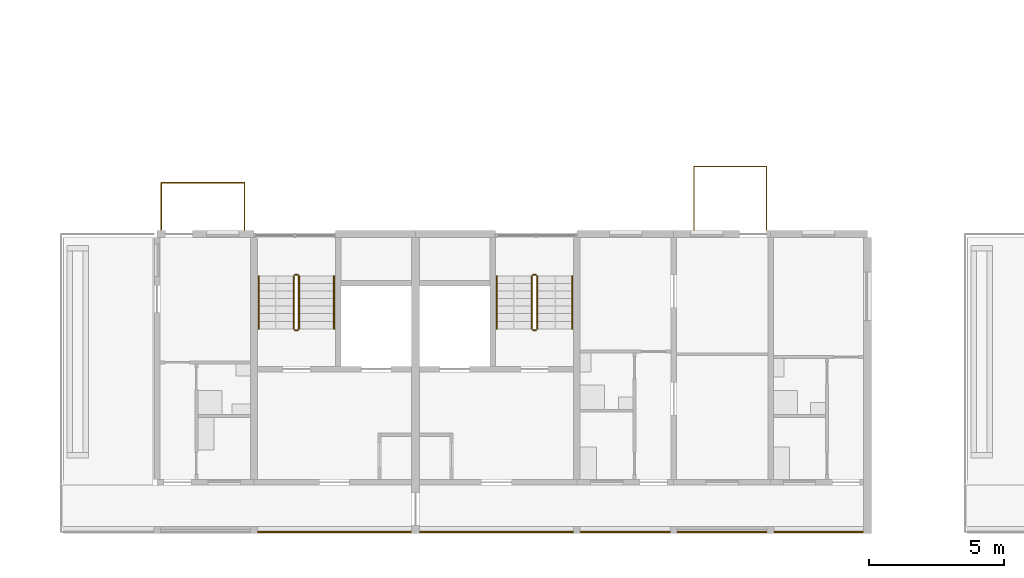
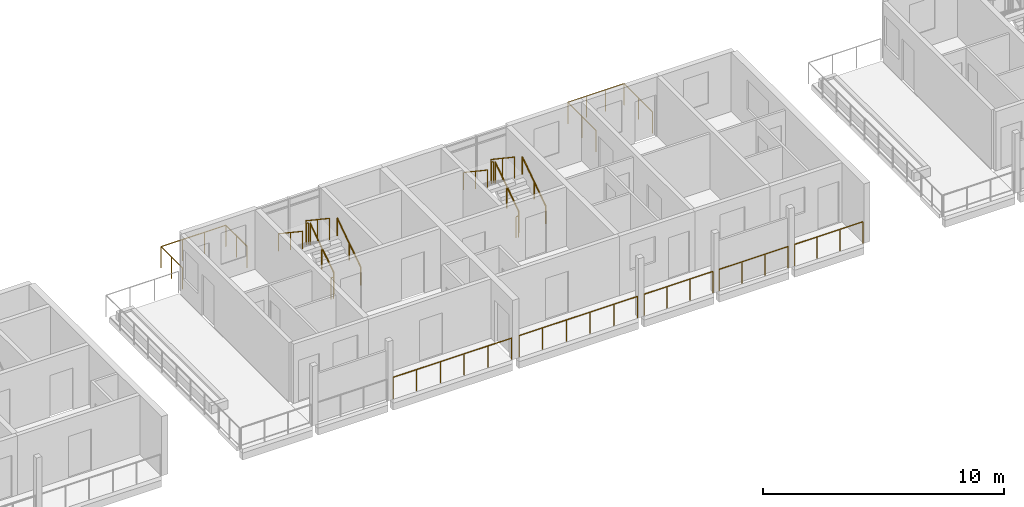
# One storey, part 49 of 64: 19 railings.
"""IFC4 building model written with IfcOpenShell, lengths in metres."""

import ifcopenshell
import ifcopenshell.guid

model = None  # the IFC model being written
_history = None  # IfcOwnerHistory: only IFC2X3 demands one
_inside = {}  # id of a spatial element -> (the spatial element, [elements in it])
_under = {}  # id of a project, library or spatial element -> (it, [spatial elements below it])
_declared = {}  # id of a project -> (the project, [libraries it declares])
_typed = {}  # id of a type object -> (the type object, [elements of that type])
_made_of = {}  # id of a material, layer set ... -> (it, [elements and type objects made of it])


def new_model(schema):
    """Start an empty IFC model of exactly this schema.

    Asked for "IFC4X3", IfcOpenShell would pick the latest addendum, in which some entities
    have other attributes; the version numbers below select the first issue.
    IFC2X3 requires an IfcOwnerHistory on every rooted entity: one is made here for all.
    """
    global model, _history
    if schema == "IFC4X3":
        model = ifcopenshell.file(schema_version=(4, 3, 0, 0))
    else:
        model = ifcopenshell.file(schema=schema)
    _inside.clear()
    _under.clear()
    _declared.clear()
    _typed.clear()
    _made_of.clear()
    _history = None
    if model.schema == "IFC2X3":
        org = make("IfcOrganization", Name="unknown")
        user = make(
            "IfcPersonAndOrganization",
            ThePerson=make("IfcPerson", FamilyName="unknown"),
            TheOrganization=org,
        )
        app = make(
            "IfcApplication",
            ApplicationDeveloper=org,
            Version="unknown",
            ApplicationFullName="unknown",
            ApplicationIdentifier="unknown",
        )
        _history = make(
            "IfcOwnerHistory",
            OwningUser=user,
            OwningApplication=app,
            ChangeAction="ADDED",
            CreationDate=0,
        )
    return model


def make(cls, **values):
    """One entity of the class cls with the attributes given. An attribute that is None is left unset."""
    return model.create_entity(
        cls, **{name: value for name, value in values.items() if value is not None}
    )


def rooted(cls, **values):
    """An entity with a GlobalId (a new one), such as an element, a storey or a relation."""
    return make(cls, GlobalId=ifcopenshell.guid.new(), OwnerHistory=_history, **values)


def si_unit(unit_type, name, prefix=None):
    """IfcSIUnit, for example si_unit("LENGTHUNIT", "METRE", prefix="MILLI")."""
    return make("IfcSIUnit", UnitType=unit_type, Prefix=prefix, Name=name)


def assignment(units):
    """IfcUnitAssignment: the units of a project."""
    return None if units is None else make("IfcUnitAssignment", Units=units)


def point(xyz):
    """IfcCartesianPoint."""
    return None if xyz is None else make("IfcCartesianPoint", Coordinates=xyz)


def direction(xyz):
    """IfcDirection."""
    return None if xyz is None else make("IfcDirection", DirectionRatios=xyz)


def frame(location, z_axis=None, x_axis=None):
    """IfcAxis2Placement3D, a coordinate frame: its origin and axes. An axis left out is left unset."""
    return make(
        "IfcAxis2Placement3D",
        Location=point(location),
        Axis=direction(z_axis),
        RefDirection=direction(x_axis),
    )


def frame_2d(location, x_axis=None):
    """IfcAxis2Placement2D, a coordinate frame in the plane: its origin and x axis."""
    return make(
        "IfcAxis2Placement2D", Location=point(location), RefDirection=direction(x_axis)
    )


def origin():
    """The frame at (0, 0, 0) with its axes left unset."""
    return frame((0.0, 0.0, 0.0))


def origin_2d():
    """The frame at (0, 0) in the plane with its x axis left unset."""
    return frame_2d((0.0, 0.0))


def place(relative_to, where):
    """IfcLocalPlacement: puts the frame where relative to a parent placement (None: the world)."""
    return make(
        "IfcLocalPlacement", PlacementRelTo=relative_to, RelativePlacement=where
    )


def context(
    kind, dimensions, precision=None, world=None, true_north=None, identifier=None
):
    """IfcGeometricRepresentationContext, for example the 3D "Model" context."""
    return make(
        "IfcGeometricRepresentationContext",
        ContextIdentifier=identifier,
        ContextType=kind,
        CoordinateSpaceDimension=dimensions,
        Precision=precision,
        WorldCoordinateSystem=world,
        TrueNorth=true_north,
    )


def subcontext(parent, identifier, kind, view, scale=None):
    """IfcGeometricRepresentationSubContext, for example "Body" below "Model"."""
    return make(
        "IfcGeometricRepresentationSubContext",
        ContextIdentifier=identifier,
        ContextType=kind,
        ParentContext=parent,
        TargetScale=scale,
        TargetView=view,
    )


def project(units=None, contexts=None):
    """IfcProject with its units and contexts."""
    return rooted(
        "IfcProject",
        Name="project",
        RepresentationContexts=contexts,
        UnitsInContext=assignment(units),
    )


def spatial(cls, under=None, at=None, **own):
    """A site, building, storey or space (cls), placed at a placement, below another one or the project."""
    s = rooted(cls, ObjectPlacement=at, **own)
    if under is not None:
        _under.setdefault(under.id(), (under, []))[1].append(s)
    return s


def profile(cls, at=None, kind="AREA", **sizes):
    """A parametric profile (cls). Its sizes go by their IFC names, for example OverallWidth=200.0."""
    return make(cls, ProfileType=kind, Position=at, **sizes)


def circle(**sizes):
    """IfcCircleProfileDef."""
    return profile("IfcCircleProfileDef", **sizes)


def extrude(swept, where, along, depth):
    """IfcExtrudedAreaSolid: the profile swept, set in the frame where, extruded along a direction by depth."""
    return make(
        "IfcExtrudedAreaSolid",
        SweptArea=swept,
        Position=where,
        ExtrudedDirection=direction(along),
        Depth=depth,
    )


def shape(context_of_items, identifier, shape_type, items):
    """IfcShapeRepresentation: the items that make up one representation, for example the "Body"."""
    return make(
        "IfcShapeRepresentation",
        ContextOfItems=context_of_items,
        RepresentationIdentifier=identifier,
        RepresentationType=shape_type,
        Items=items,
    )


def material(Name=None, Category=None):
    """IfcMaterial."""
    return make("IfcMaterial", Name=Name, Category=Category)


def made_of(thing, what):
    """Note that an element or type object is made of a material, layer set ...; save() writes the relation."""
    if what is not None:
        _made_of.setdefault(what.id(), (what, []))[1].append(thing)
    return thing


def type_object(cls, material=None, **own):
    """A type object (cls), such as IfcWallType, which elements share."""
    return made_of(rooted(cls, **own), material)


def element(
    cls,
    number,
    at=None,
    inside=None,
    cuts=None,
    type_object=None,
    material=None,
    context=None,
    identifier="Body",
    shape_type=None,
    held_by="IfcProductDefinitionShape",
    body=None,
    shapes=None,
    **own,
):
    """One element of the class cls, such as IfcWall. Its Tag is "e" and its number.

    at: its placement. inside: the storey or other place that contains it. cuts: it is an
    opening in that element (IfcRelVoidsElement). A single representation is given by context,
    identifier, shape_type and body (its items); several are given by shapes. held_by: the class
    of the entity that holds the representations. save() writes the other relations.
    """
    e = rooted(cls, Tag="e%d" % number, ObjectPlacement=at, **own)
    if body is not None:
        shapes = [shape(context, identifier, shape_type, body)]
    if shapes is not None:
        e.Representation = make(held_by, Representations=shapes)
    if inside is not None:
        _inside.setdefault(inside.id(), (inside, []))[1].append(e)
    if cuts is not None:
        rooted(
            "IfcRelVoidsElement", RelatingBuildingElement=cuts, RelatedOpeningElement=e
        )
    if type_object is not None:
        _typed.setdefault(type_object.id(), (type_object, []))[1].append(e)
    return made_of(e, material)


def aggregate(whole, parts):
    """IfcRelAggregates: a whole, such as a stair, and the parts it consists of."""
    return rooted("IfcRelAggregates", RelatingObject=whole, RelatedObjects=parts)


def save(model, path):
    """Write the relations noted so far, then the file.

    IfcRelAggregates (storeys below a building ...), IfcRelContainedInSpatialStructure (elements
    in a storey), IfcRelDefinesByType, IfcRelAssociatesMaterial and IfcRelDeclares: one each for
    every whole, place, type object, material and project.
    """
    for whole, parts in _under.values():
        aggregate(whole, parts)
    for where, things in _inside.values():
        rooted(
            "IfcRelContainedInSpatialStructure",
            RelatedElements=things,
            RelatingStructure=where,
        )
    for kind, things in _typed.values():
        rooted("IfcRelDefinesByType", RelatedObjects=things, RelatingType=kind)
    for what, things in _made_of.values():
        rooted("IfcRelAssociatesMaterial", RelatedObjects=things, RelatingMaterial=what)
    for by, libraries in _declared.values():
        rooted("IfcRelDeclares", RelatingContext=by, RelatedDefinitions=libraries)
    model.write(path)


model = new_model("IFC4")

# Units and contexts
model_context = context("Model", 3, precision=1e-05, world=origin(), true_north=direction((0.0, 1.0)))
body_context = subcontext(model_context, "Body", "Model", "MODEL_VIEW")
ifc_project = project(units=[si_unit("LENGTHUNIT", "METRE"), si_unit("AREAUNIT", "SQUARE_METRE"), si_unit("VOLUMEUNIT", "CUBIC_METRE"), si_unit("PLANEANGLEUNIT", "RADIAN"), si_unit("MASSUNIT", "GRAM", prefix="KILO")], contexts=[model_context])

# Site, building, storey
site_placement = place(None, origin())
site = spatial("IfcSite", under=ifc_project, at=site_placement, CompositionType="ELEMENT")
building_placement = place(site_placement, origin())
building = spatial("IfcBuilding", under=site, at=building_placement, Name="Ridgestep Commons", CompositionType="ELEMENT")
storey_placement = place(building_placement, frame((0.0, 0.0, 33.0)))
storey = spatial("IfcBuildingStorey", under=building, at=storey_placement, Name="L11", CompositionType="ELEMENT", Elevation=33.0)

# Railings
ifc_material_1 = material(Name="Structural steel S355JR", Category="steel")
railing_type_1 = type_object("IfcRailingType", Name="Guard 1100", PredefinedType="GUARDRAIL", material=ifc_material_1)
railing_1_placement = place(storey_placement, frame((39.74609375, 11.800048828125, 0.0)))
element("IfcRailing", 1, at=railing_1_placement, inside=storey, type_object=railing_type_1, Name="Gallery guard A 11.3", PredefinedType="GUARDRAIL", context=body_context, shape_type="SweptSolid", body=[
    extrude(circle(Radius=0.02392578125, at=origin_2d()), frame((0.0, 0.0, 1.076171875), z_axis=(1.0, 0.0, 0.0), x_axis=(0.0, 1.0, 0.0)), (0.0, 0.0, 1.0), 5.682861328125),
    extrude(circle(Radius=0.02099609375, at=origin_2d()), origin(), (0.0, 0.0, 1.0), 1.052001953125),
    extrude(circle(Radius=0.02099609375, at=origin_2d()), frame((1.136474609375, 0.0, 0.0)), (0.0, 0.0, 1.0), 1.052001953125),
    extrude(circle(Radius=0.02099609375, at=origin_2d()), frame((2.273193359375, 0.0, 0.0)), (0.0, 0.0, 1.0), 1.052001953125),
    extrude(circle(Radius=0.02099609375, at=origin_2d()), frame((3.40966796875, 0.0, 0.0)), (0.0, 0.0, 1.0), 1.052001953125),
    extrude(circle(Radius=0.02099609375, at=origin_2d()), frame((4.54638671875, 0.0, 0.0)), (0.0, 0.0, 1.0), 1.052001953125),
    extrude(circle(Radius=0.02099609375, at=origin_2d()), frame((5.682861328125, 0.0, 0.0)), (0.0, 0.0, 1.0), 1.052001953125),
])
railing_2_placement = place(storey_placement, frame((45.77099609375, 11.800048828125, 0.0)))
element("IfcRailing", 2, at=railing_2_placement, inside=storey, type_object=railing_type_1, Name="Gallery guard A 11.4", PredefinedType="GUARDRAIL", context=body_context, shape_type="SweptSolid", body=[
    extrude(circle(Radius=0.02392578125, at=origin_2d()), frame((0.0, 0.0, 1.076171875), z_axis=(1.0, 0.0, 0.0), x_axis=(0.0, 1.0, 0.0)), (0.0, 0.0, 1.0), 5.68310546875),
    extrude(circle(Radius=0.02099609375, at=origin_2d()), origin(), (0.0, 0.0, 1.0), 1.052001953125),
    extrude(circle(Radius=0.02099609375, at=origin_2d()), frame((1.13671875, 0.0, 0.0)), (0.0, 0.0, 1.0), 1.052001953125),
    extrude(circle(Radius=0.02099609375, at=origin_2d()), frame((2.273193359375, 0.0, 0.0)), (0.0, 0.0, 1.0), 1.052001953125),
    extrude(circle(Radius=0.02099609375, at=origin_2d()), frame((3.409912109375, 0.0, 0.0)), (0.0, 0.0, 1.0), 1.052001953125),
    extrude(circle(Radius=0.02099609375, at=origin_2d()), frame((4.54638671875, 0.0, 0.0)), (0.0, 0.0, 1.0), 1.052001953125),
    extrude(circle(Radius=0.02099609375, at=origin_2d()), frame((5.68310546875, 0.0, 0.0)), (0.0, 0.0, 1.0), 1.052001953125),
])
railing_3_placement = place(storey_placement, frame((51.74609375, 11.800048828125, 0.0)))
element("IfcRailing", 3, at=railing_3_placement, inside=storey, type_object=railing_type_1, Name="Gallery guard A 11.5", PredefinedType="GUARDRAIL", context=body_context, shape_type="SweptSolid", body=[
    extrude(circle(Radius=0.02392578125, at=origin_2d()), frame((0.0, 0.0, 1.076171875), z_axis=(1.0, 0.0, 0.0), x_axis=(0.0, 1.0, 0.0)), (0.0, 0.0, 1.0), 3.307861328125),
    extrude(circle(Radius=0.02099609375, at=origin_2d()), origin(), (0.0, 0.0, 1.0), 1.052001953125),
    extrude(circle(Radius=0.02099609375, at=origin_2d()), frame((1.1025390625, 0.0, 0.0)), (0.0, 0.0, 1.0), 1.052001953125),
    extrude(circle(Radius=0.02099609375, at=origin_2d()), frame((2.205322265625, 0.0, 0.0)), (0.0, 0.0, 1.0), 1.052001953125),
    extrude(circle(Radius=0.02099609375, at=origin_2d()), frame((3.307861328125, 0.0, 0.0)), (0.0, 0.0, 1.0), 1.052001953125),
])
railing_4_placement = place(storey_placement, frame((55.345947265625, 11.800048828125, 0.0)))
element("IfcRailing", 4, at=railing_4_placement, inside=storey, type_object=railing_type_1, Name="Gallery guard A 11.6", PredefinedType="GUARDRAIL", context=body_context, shape_type="SweptSolid", body=[
    extrude(circle(Radius=0.02392578125, at=origin_2d()), frame((0.0, 0.0, 1.076171875), z_axis=(1.0, 0.0, 0.0), x_axis=(0.0, 1.0, 0.0)), (0.0, 0.0, 1.0), 3.30810546875),
    extrude(circle(Radius=0.02099609375, at=origin_2d()), origin(), (0.0, 0.0, 1.0), 1.052001953125),
    extrude(circle(Radius=0.02099609375, at=origin_2d()), frame((1.102783203125, 0.0, 0.0)), (0.0, 0.0, 1.0), 1.052001953125),
    extrude(circle(Radius=0.02099609375, at=origin_2d()), frame((2.205322265625, 0.0, 0.0)), (0.0, 0.0, 1.0), 1.052001953125),
    extrude(circle(Radius=0.02099609375, at=origin_2d()), frame((3.30810546875, 0.0, 0.0)), (0.0, 0.0, 1.0), 1.052001953125),
])
railing_5_placement = place(storey_placement, frame((58.946044921875, 11.800048828125, 0.0)))
element("IfcRailing", 5, at=railing_5_placement, inside=storey, type_object=railing_type_1, Name="Gallery guard A 11.7", PredefinedType="GUARDRAIL", context=body_context, shape_type="SweptSolid", body=[
    extrude(circle(Radius=0.02392578125, at=origin_2d()), frame((0.0, 0.0, 1.076171875), z_axis=(1.0, 0.0, 0.0), x_axis=(0.0, 1.0, 0.0)), (0.0, 0.0, 1.0), 3.282958984375),
    extrude(circle(Radius=0.02099609375, at=origin_2d()), origin(), (0.0, 0.0, 1.0), 1.052001953125),
    extrude(circle(Radius=0.02099609375, at=origin_2d()), frame((1.09423828125, 0.0, 0.0)), (0.0, 0.0, 1.0), 1.052001953125),
    extrude(circle(Radius=0.02099609375, at=origin_2d()), frame((2.188720703125, 0.0, 0.0)), (0.0, 0.0, 1.0), 1.052001953125),
    extrude(circle(Radius=0.02099609375, at=origin_2d()), frame((3.282958984375, 0.0, 0.0)), (0.0, 0.0, 1.0), 1.052001953125),
])
ifc_material_2 = material(Name="Structural steel S355JR", Category="steel")
railing_type_2 = type_object("IfcRailingType", Name="Stair guard 1100", PredefinedType="GUARDRAIL", material=ifc_material_2)
railing_6_placement = place(storey_placement, frame((41.27490234375, 19.35009765625, 0.1875)))
element("IfcRailing", 6, at=railing_6_placement, inside=storey, type_object=railing_type_2, Name="L11 A2C stair guard 1", PredefinedType="GUARDRAIL", context=body_context, shape_type="SweptSolid", body=[
    extrude(circle(Radius=0.02392578125, at=origin_2d()), frame((0.0, 0.0, 1.076171875), z_axis=(0.0, 0.830902050051, 0.556418712142), x_axis=(-1.0, 0.0, 0.0)), (0.0, 0.0, 1.0), 2.35888671875),
    extrude(circle(Radius=0.02099609375, at=origin_2d()), origin(), (0.0, 0.0, 1.0), 1.052001953125),
    extrude(circle(Radius=0.02099609375, at=origin_2d()), frame((0.0, 0.97998046875, 0.65625)), (0.0, 0.0, 1.0), 1.052001953125),
    extrude(circle(Radius=0.02099609375, at=origin_2d()), frame((0.0, 1.9599609375, 1.3125)), (0.0, 0.0, 1.0), 1.052001953125),
])
railing_7_placement = place(storey_placement, frame((41.22509765625, 21.360107421875, 1.5)))
element("IfcRailing", 7, at=railing_7_placement, inside=storey, type_object=railing_type_2, Name="L11 A2C stair guard 2", PredefinedType="GUARDRAIL", context=body_context, shape_type="SweptSolid", body=[
    extrude(circle(Radius=0.02392578125, at=origin_2d()), frame((0.0, 0.0, 1.076171875), z_axis=(-1.0, 0.0, 0.0), x_axis=(0.0, -1.0, 0.0)), (0.0, 0.0, 1.0), 0.10009765625),
    extrude(circle(Radius=0.02099609375, at=origin_2d()), origin(), (0.0, 0.0, 1.0), 1.052001953125),
    extrude(circle(Radius=0.02099609375, at=origin_2d()), frame((-0.10009765625, 0.0, 0.0)), (0.0, 0.0, 1.0), 1.052001953125),
])
railing_8_placement = place(storey_placement, frame((41.074951171875, 21.31005859375, 1.6875)))
element("IfcRailing", 8, at=railing_8_placement, inside=storey, type_object=railing_type_2, Name="L11 A2C stair guard 3", PredefinedType="GUARDRAIL", context=body_context, shape_type="SweptSolid", body=[
    extrude(circle(Radius=0.02392578125, at=origin_2d()), frame((0.0, 0.0, 1.076171875), z_axis=(0.0, -0.830902050051, 0.556418712142), x_axis=(1.0, 0.0, 0.0)), (0.0, 0.0, 1.0), 2.35888671875),
    extrude(circle(Radius=0.02099609375, at=origin_2d()), origin(), (0.0, 0.0, 1.0), 1.052001953125),
    extrude(circle(Radius=0.02099609375, at=origin_2d()), frame((0.0, -0.97998046875, 0.65625)), (0.0, 0.0, 1.0), 1.052001953125),
    extrude(circle(Radius=0.02099609375, at=origin_2d()), frame((0.0, -1.9599609375, 1.3125)), (0.0, 0.0, 1.0), 1.052001953125),
])
railing_9_placement = place(storey_placement, frame((41.22509765625, 19.300048828125, 0.0)))
element("IfcRailing", 9, at=railing_9_placement, inside=storey, type_object=railing_type_2, Name="L11 A2C stair guard 4", PredefinedType="GUARDRAIL", context=body_context, shape_type="SweptSolid", body=[
    extrude(circle(Radius=0.02392578125, at=origin_2d()), frame((0.0, 0.0, 1.076171875), z_axis=(-1.0, 0.0, 0.0), x_axis=(0.0, -1.0, 0.0)), (0.0, 0.0, 1.0), 0.10009765625),
    extrude(circle(Radius=0.02099609375, at=origin_2d()), origin(), (0.0, 0.0, 1.0), 1.052001953125),
    extrude(circle(Radius=0.02099609375, at=origin_2d()), frame((-0.10009765625, 0.0, 0.0)), (0.0, 0.0, 1.0), 1.052001953125),
])
railing_10_placement = place(storey_placement, frame((50.125, 19.35009765625, 0.1875)))
element("IfcRailing", 10, at=railing_10_placement, inside=storey, type_object=railing_type_2, Name="L11 A3C stair guard 1", PredefinedType="GUARDRAIL", context=body_context, shape_type="SweptSolid", body=[
    extrude(circle(Radius=0.02392578125, at=origin_2d()), frame((0.0, 0.0, 1.076171875), z_axis=(0.0, 0.830902050051, 0.556418712142), x_axis=(-1.0, 0.0, 0.0)), (0.0, 0.0, 1.0), 2.35888671875),
    extrude(circle(Radius=0.02099609375, at=origin_2d()), origin(), (0.0, 0.0, 1.0), 1.052001953125),
    extrude(circle(Radius=0.02099609375, at=origin_2d()), frame((0.0, 0.97998046875, 0.65625)), (0.0, 0.0, 1.0), 1.052001953125),
    extrude(circle(Radius=0.02099609375, at=origin_2d()), frame((0.0, 1.9599609375, 1.3125)), (0.0, 0.0, 1.0), 1.052001953125),
])
railing_11_placement = place(storey_placement, frame((50.074951171875, 21.360107421875, 1.5)))
element("IfcRailing", 11, at=railing_11_placement, inside=storey, type_object=railing_type_2, Name="L11 A3C stair guard 2", PredefinedType="GUARDRAIL", context=body_context, shape_type="SweptSolid", body=[
    extrude(circle(Radius=0.02392578125, at=origin_2d()), frame((0.0, 0.0, 1.076171875), z_axis=(-1.0, 0.0, 0.0), x_axis=(0.0, -1.0, 0.0)), (0.0, 0.0, 1.0), 0.099853515625),
    extrude(circle(Radius=0.02099609375, at=origin_2d()), origin(), (0.0, 0.0, 1.0), 1.052001953125),
    extrude(circle(Radius=0.02099609375, at=origin_2d()), frame((-0.099853515625, 0.0, 0.0)), (0.0, 0.0, 1.0), 1.052001953125),
])
railing_12_placement = place(storey_placement, frame((49.925048828125, 21.31005859375, 1.6875)))
element("IfcRailing", 12, at=railing_12_placement, inside=storey, type_object=railing_type_2, Name="L11 A3C stair guard 3", PredefinedType="GUARDRAIL", context=body_context, shape_type="SweptSolid", body=[
    extrude(circle(Radius=0.02392578125, at=origin_2d()), frame((0.0, 0.0, 1.076171875), z_axis=(0.0, -0.830902050051, 0.556418712142), x_axis=(1.0, 0.0, 0.0)), (0.0, 0.0, 1.0), 2.35888671875),
    extrude(circle(Radius=0.02099609375, at=origin_2d()), origin(), (0.0, 0.0, 1.0), 1.052001953125),
    extrude(circle(Radius=0.02099609375, at=origin_2d()), frame((0.0, -0.97998046875, 0.65625)), (0.0, 0.0, 1.0), 1.052001953125),
    extrude(circle(Radius=0.02099609375, at=origin_2d()), frame((0.0, -1.9599609375, 1.3125)), (0.0, 0.0, 1.0), 1.052001953125),
])
railing_13_placement = place(storey_placement, frame((50.074951171875, 19.300048828125, 0.0)))
element("IfcRailing", 13, at=railing_13_placement, inside=storey, type_object=railing_type_2, Name="L11 A3C stair guard 4", PredefinedType="GUARDRAIL", context=body_context, shape_type="SweptSolid", body=[
    extrude(circle(Radius=0.02392578125, at=origin_2d()), frame((0.0, 0.0, 1.076171875), z_axis=(-1.0, 0.0, 0.0), x_axis=(0.0, -1.0, 0.0)), (0.0, 0.0, 1.0), 0.099853515625),
    extrude(circle(Radius=0.02099609375, at=origin_2d()), origin(), (0.0, 0.0, 1.0), 1.052001953125),
    extrude(circle(Radius=0.02099609375, at=origin_2d()), frame((-0.099853515625, 0.0, 0.0)), (0.0, 0.0, 1.0), 1.052001953125),
])
ifc_material_3 = material(Name="Structural steel S355JR", Category="steel")
railing_type_3 = type_object("IfcRailingType", Name="Stair handrail 900", PredefinedType="HANDRAIL", material=ifc_material_3)
railing_14_placement = place(storey_placement, frame((42.574951171875, 19.35009765625, 0.1875)))
element("IfcRailing", 14, at=railing_14_placement, inside=storey, type_object=railing_type_3, Name="L11 A2C stair handrail 1", PredefinedType="HANDRAIL", context=body_context, shape_type="SweptSolid", body=[
    extrude(circle(Radius=0.02392578125, at=origin_2d()), frame((0.0, 0.0, 0.8759765625), z_axis=(0.0, 0.830902050051, 0.556418712142), x_axis=(-1.0, 0.0, 0.0)), (0.0, 0.0, 1.0), 2.35888671875),
    extrude(circle(Radius=0.02099609375, at=origin_2d()), origin(), (0.0, 0.0, 1.0), 0.851806640625),
    extrude(circle(Radius=0.02099609375, at=origin_2d()), frame((0.0, 0.97998046875, 0.65625)), (0.0, 0.0, 1.0), 0.851806640625),
    extrude(circle(Radius=0.02099609375, at=origin_2d()), frame((0.0, 1.9599609375, 1.3125)), (0.0, 0.0, 1.0), 0.851806640625),
])
railing_15_placement = place(storey_placement, frame((39.77490234375, 21.31005859375, 1.6875)))
element("IfcRailing", 15, at=railing_15_placement, inside=storey, type_object=railing_type_3, Name="L11 A2C stair handrail 2", PredefinedType="HANDRAIL", context=body_context, shape_type="SweptSolid", body=[
    extrude(circle(Radius=0.02392578125, at=origin_2d()), frame((0.0, 0.0, 0.8759765625), z_axis=(0.0, -0.830902050051, 0.556418712142), x_axis=(1.0, 0.0, 0.0)), (0.0, 0.0, 1.0), 2.35888671875),
    extrude(circle(Radius=0.02099609375, at=origin_2d()), origin(), (0.0, 0.0, 1.0), 0.851806640625),
    extrude(circle(Radius=0.02099609375, at=origin_2d()), frame((0.0, -0.97998046875, 0.65625)), (0.0, 0.0, 1.0), 0.851806640625),
    extrude(circle(Radius=0.02099609375, at=origin_2d()), frame((0.0, -1.9599609375, 1.3125)), (0.0, 0.0, 1.0), 0.851806640625),
])
railing_16_placement = place(storey_placement, frame((51.425048828125, 19.35009765625, 0.1875)))
element("IfcRailing", 16, at=railing_16_placement, inside=storey, type_object=railing_type_3, Name="L11 A3C stair handrail 1", PredefinedType="HANDRAIL", context=body_context, shape_type="SweptSolid", body=[
    extrude(circle(Radius=0.02392578125, at=origin_2d()), frame((0.0, 0.0, 0.8759765625), z_axis=(0.0, 0.830902050051, 0.556418712142), x_axis=(-1.0, 0.0, 0.0)), (0.0, 0.0, 1.0), 2.35888671875),
    extrude(circle(Radius=0.02099609375, at=origin_2d()), origin(), (0.0, 0.0, 1.0), 0.851806640625),
    extrude(circle(Radius=0.02099609375, at=origin_2d()), frame((0.0, 0.97998046875, 0.65625)), (0.0, 0.0, 1.0), 0.851806640625),
    extrude(circle(Radius=0.02099609375, at=origin_2d()), frame((0.0, 1.9599609375, 1.3125)), (0.0, 0.0, 1.0), 0.851806640625),
])
railing_17_placement = place(storey_placement, frame((48.625, 21.31005859375, 1.6875)))
element("IfcRailing", 17, at=railing_17_placement, inside=storey, type_object=railing_type_3, Name="L11 A3C stair handrail 2", PredefinedType="HANDRAIL", context=body_context, shape_type="SweptSolid", body=[
    extrude(circle(Radius=0.02392578125, at=origin_2d()), frame((0.0, 0.0, 0.8759765625), z_axis=(0.0, -0.830902050051, 0.556418712142), x_axis=(1.0, 0.0, 0.0)), (0.0, 0.0, 1.0), 2.35888671875),
    extrude(circle(Radius=0.02099609375, at=origin_2d()), origin(), (0.0, 0.0, 1.0), 0.851806640625),
    extrude(circle(Radius=0.02099609375, at=origin_2d()), frame((0.0, -0.97998046875, 0.65625)), (0.0, 0.0, 1.0), 0.851806640625),
    extrude(circle(Radius=0.02099609375, at=origin_2d()), frame((0.0, -1.9599609375, 1.3125)), (0.0, 0.0, 1.0), 0.851806640625),
])
ifc_material_4 = material(Name="Weathering steel S355J2W", Category="steel")
railing_type_4 = type_object("IfcRailingType", Name="Tray guard 1100", PredefinedType="GUARDRAIL", material=ifc_material_4)
railing_18_placement = place(storey_placement, frame((55.950927734375, 23.02099609375, 0.0)))
element("IfcRailing", 18, at=railing_18_placement, inside=storey, type_object=railing_type_4, Name="Tray guard A3T2-11", PredefinedType="GUARDRAIL", context=body_context, shape_type="SweptSolid", body=[
    extrude(circle(Radius=0.02392578125, at=origin_2d()), frame((0.0, 0.0, 1.076171875), z_axis=(0.0, 1.0, 0.0), x_axis=(-1.0, 0.0, 0.0)), (0.0, 0.0, 1.0), 2.35791015625),
    extrude(circle(Radius=0.02392578125, at=origin_2d()), frame((0.0, 2.35791015625, 1.076171875), z_axis=(1.0, 0.0, 0.0), x_axis=(0.0, 1.0, 0.0)), (0.0, 0.0, 1.0), 2.697998046875),
    extrude(circle(Radius=0.02392578125, at=origin_2d()), frame((2.697998046875, 2.35791015625, 1.076171875), z_axis=(0.0, -1.0, 0.0), x_axis=(1.0, 0.0, 0.0)), (0.0, 0.0, 1.0), 2.35791015625),
    extrude(circle(Radius=0.02099609375, at=origin_2d()), origin(), (0.0, 0.0, 1.0), 1.052001953125),
    extrude(circle(Radius=0.02099609375, at=origin_2d()), frame((0.0, 1.178955078125, 0.0)), (0.0, 0.0, 1.0), 1.052001953125),
    extrude(circle(Radius=0.02099609375, at=origin_2d()), frame((0.0, 2.35791015625, 0.0)), (0.0, 0.0, 1.0), 1.052001953125),
    extrude(circle(Radius=0.02099609375, at=origin_2d()), frame((0.8994140625, 2.35791015625, 0.0)), (0.0, 0.0, 1.0), 1.052001953125),
    extrude(circle(Radius=0.02099609375, at=origin_2d()), frame((1.798583984375, 2.35791015625, 0.0)), (0.0, 0.0, 1.0), 1.052001953125),
    extrude(circle(Radius=0.02099609375, at=origin_2d()), frame((2.697998046875, 2.35791015625, 0.0)), (0.0, 0.0, 1.0), 1.052001953125),
    extrude(circle(Radius=0.02099609375, at=origin_2d()), frame((2.697998046875, 1.178955078125, 0.0)), (0.0, 0.0, 1.0), 1.052001953125),
    extrude(circle(Radius=0.02099609375, at=origin_2d()), frame((2.697998046875, 0.0, 0.0)), (0.0, 0.0, 1.0), 1.052001953125),
])
railing_19_placement = place(storey_placement, frame((36.15087890625, 23.02099609375, 0.0)))
element("IfcRailing", 19, at=railing_19_placement, inside=storey, type_object=railing_type_4, Name="Tray guard A2T3-11", PredefinedType="GUARDRAIL", context=body_context, shape_type="SweptSolid", body=[
    extrude(circle(Radius=0.02392578125, at=origin_2d()), frame((0.0, 0.0, 1.076171875), z_axis=(0.0, 1.0, 0.0), x_axis=(-1.0, 0.0, 0.0)), (0.0, 0.0, 1.0), 1.758056640625),
    extrude(circle(Radius=0.02392578125, at=origin_2d()), frame((0.0, 1.758056640625, 1.076171875), z_axis=(1.0, 0.0, 0.0), x_axis=(0.0, 1.0, 0.0)), (0.0, 0.0, 1.0), 3.09814453125),
    extrude(circle(Radius=0.02392578125, at=origin_2d()), frame((3.09814453125, 1.758056640625, 1.076171875), z_axis=(0.0, -1.0, 0.0), x_axis=(1.0, 0.0, 0.0)), (0.0, 0.0, 1.0), 1.758056640625),
    extrude(circle(Radius=0.02099609375, at=origin_2d()), origin(), (0.0, 0.0, 1.0), 1.052001953125),
    extrude(circle(Radius=0.02099609375, at=origin_2d()), frame((0.0, 0.87890625, 0.0)), (0.0, 0.0, 1.0), 1.052001953125),
    extrude(circle(Radius=0.02099609375, at=origin_2d()), frame((0.0, 1.758056640625, 0.0)), (0.0, 0.0, 1.0), 1.052001953125),
    extrude(circle(Radius=0.02099609375, at=origin_2d()), frame((1.03271484375, 1.758056640625, 0.0)), (0.0, 0.0, 1.0), 1.052001953125),
    extrude(circle(Radius=0.02099609375, at=origin_2d()), frame((2.0654296875, 1.758056640625, 0.0)), (0.0, 0.0, 1.0), 1.052001953125),
    extrude(circle(Radius=0.02099609375, at=origin_2d()), frame((3.09814453125, 1.758056640625, 0.0)), (0.0, 0.0, 1.0), 1.052001953125),
    extrude(circle(Radius=0.02099609375, at=origin_2d()), frame((3.09814453125, 0.87890625, 0.0)), (0.0, 0.0, 1.0), 1.052001953125),
    extrude(circle(Radius=0.02099609375, at=origin_2d()), frame((3.09814453125, 0.0, 0.0)), (0.0, 0.0, 1.0), 1.052001953125),
])

save(model, "model.ifc")
